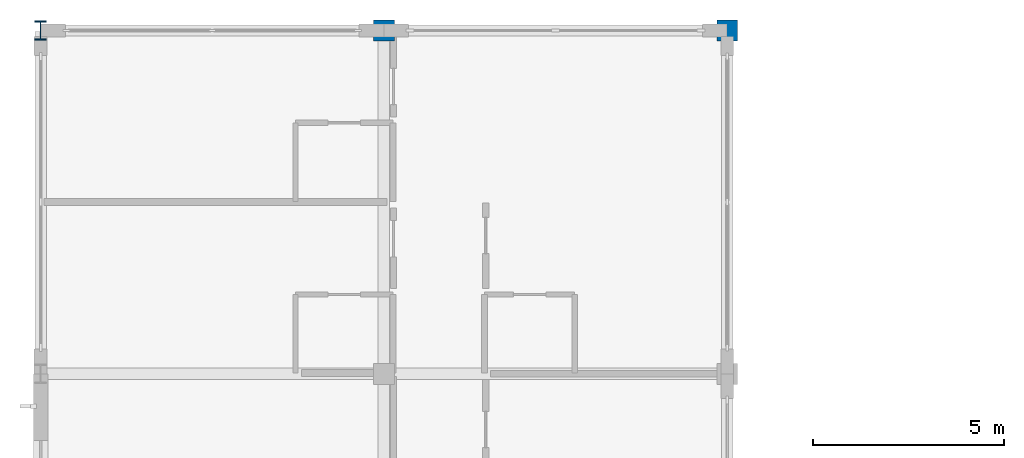
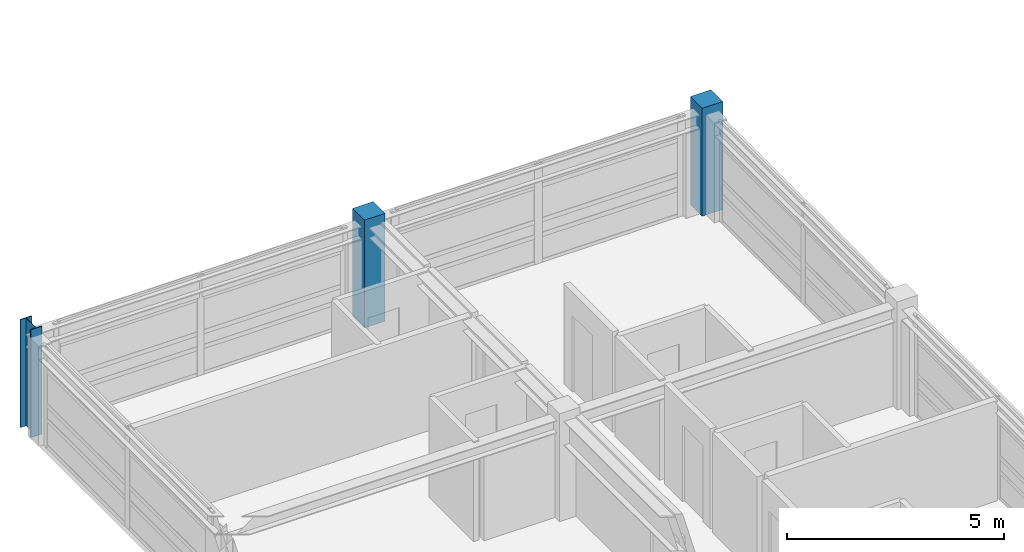
# One storey, part 5 of 30: 3 columns.
"""IFC4 building model written with IfcOpenShell, lengths in metres."""

from ifc_helpers import new_model, si_unit, direction, frame, origin, origin_2d, place, context, subcontext, project, spatial, rectangle, i_section, extrude, material, material_profile, profile_set, type_object, element, save


model = new_model("IFC4")

# Units and contexts
model_context = context("Model", 3, precision=1e-05, world=origin(), true_north=direction((0.0, 1.0)))
body_context = subcontext(model_context, "Body", "Model", "MODEL_VIEW")
ifc_project = project(units=[si_unit("LENGTHUNIT", "METRE"), si_unit("AREAUNIT", "SQUARE_METRE"), si_unit("VOLUMEUNIT", "CUBIC_METRE"), si_unit("PLANEANGLEUNIT", "RADIAN"), si_unit("MASSUNIT", "GRAM", prefix="KILO")], contexts=[model_context])

# Site, building, storey
site_placement = place(None, origin())
site = spatial("IfcSite", under=ifc_project, at=site_placement, CompositionType="ELEMENT")
building_placement = place(site_placement, origin())
building = spatial("IfcBuilding", under=site, at=building_placement, Name="Palais des Congres Ocreval", CompositionType="ELEMENT")
storey_placement = place(building_placement, frame((0.0, 0.0, 14.56005859375)))
storey = spatial("IfcBuildingStorey", under=building, at=storey_placement, Name="L04", CompositionType="ELEMENT", Elevation=14.56005859375)

# Columns
ifc_material_1 = material(Name="Steel S355", Category="steel")
ifc_material_profile_1 = material_profile(ifc_material_1, i_section(OverallWidth=0.300048828125, OverallDepth=0.5, WebThickness=0.014404296875, FlangeThickness=0.028076171875, at=origin_2d()), Name="HEB 500")
ifc_profile_set_1 = profile_set([ifc_material_profile_1], Name="Steel S355")
column_type_1 = type_object("IfcColumnType", Name="Column HEB 500 Steel S355", PredefinedType="COLUMN", material=ifc_profile_set_1)
column_placement = place(storey_placement, frame((0.0, 72.0, 0.0), z_axis=(0.0, 0.0, 1.0), x_axis=(1.0, 0.0, 0.0)))
element("IfcColumn", 1, at=column_placement, inside=storey, type_object=column_type_1, Name="Column C08 L04", PredefinedType="COLUMN", context=body_context, shape_type="SweptSolid", body=[
    extrude(i_section(OverallWidth=0.300048828125, OverallDepth=0.5, WebThickness=0.014404296875, FlangeThickness=0.028076171875, at=origin_2d()), origin(), (0.0, 0.0, 1.0), 3.0400390625),
])
ifc_material_2 = material(Name="Concrete C40/50", Category="concrete")
ifc_material_profile_2 = material_profile(ifc_material_2, rectangle(XDim=0.550048828125, YDim=0.550048828125, at=origin_2d()), Name="RC 550x550")
ifc_profile_set_2 = profile_set([ifc_material_profile_2], Name="Concrete C40/50")
column_type_2 = type_object("IfcColumnType", Name="Column RC 550x550 Concrete C40/50", PredefinedType="COLUMN", material=ifc_profile_set_2)
for number, where, z_axis, x_axis, name in (
    (2, (9.0, 72.0, 0.0), (0.0, 0.0, 1.0), (1.0, 0.0, 0.0), "Column C24 L04"),
    (3, (18.0, 72.0, 0.0), (0.0, 0.0, 1.0), (1.0, 0.0, 0.0), "Column C24 L04"),
):
    element("IfcColumn", number, at=place(storey_placement, frame(where, z_axis=z_axis, x_axis=x_axis)), inside=storey, type_object=column_type_2, Name=name, PredefinedType="COLUMN", context=body_context, shape_type="SweptSolid", body=[
        extrude(rectangle(XDim=0.550048828125, YDim=0.550048828125, at=origin_2d()), origin(), (0.0, 0.0, 1.0), 3.0400390625),
    ])

save(model, "model.ifc")
